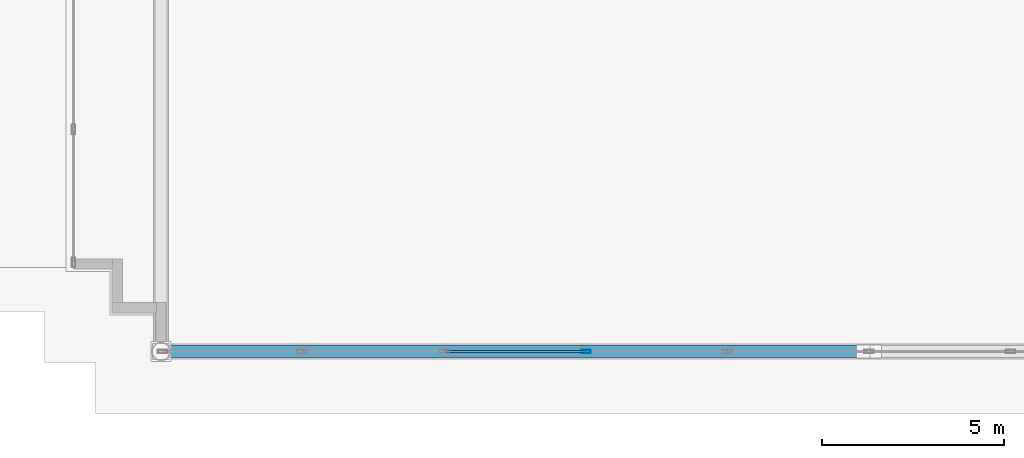
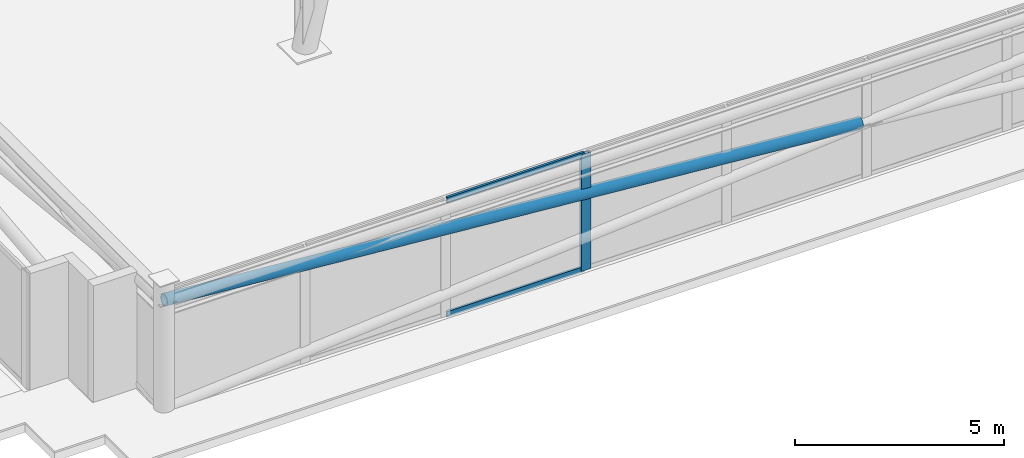
# One storey, part 3 of 23: 4 members, 1 element without a shape of its own.
"""IFC4 building model written with IfcOpenShell, lengths in metres."""

from ifc_helpers import new_model, si_unit, direction, frame, origin, origin_2d, place, context, subcontext, project, spatial, hollow_rectangle, hollow_circle, extrude, material, layer, layer_set, material_profile, profile_set, type_object, element, aggregate, save


model = new_model("IFC4")

# Units and contexts
model_context = context("Model", 3, precision=1e-05, world=origin(), true_north=direction((0.0, 1.0)))
body_context = subcontext(model_context, "Body", "Model", "MODEL_VIEW")
ifc_project = project(units=[si_unit("LENGTHUNIT", "METRE"), si_unit("AREAUNIT", "SQUARE_METRE"), si_unit("VOLUMEUNIT", "CUBIC_METRE"), si_unit("PLANEANGLEUNIT", "RADIAN"), si_unit("MASSUNIT", "GRAM", prefix="KILO")], contexts=[model_context])

# Site, building, storey
site_placement = place(None, origin())
site = spatial("IfcSite", under=ifc_project, at=site_placement, CompositionType="ELEMENT")
building_placement = place(site_placement, origin())
building = spatial("IfcBuilding", under=site, at=building_placement, Name="Qobustan Lattice House", CompositionType="ELEMENT")
storey_placement = place(building_placement, frame((0.0, 0.0, 270.199951171875)))
storey = spatial("IfcBuildingStorey", under=building, at=storey_placement, Name="L76", CompositionType="ELEMENT", Elevation=270.199951171875)

# Curtain wall, members
ifc_material_1 = material(Name="Anodised aluminium and low-E glazing", Category="aluminium")
ifc_layer = layer(ifc_material_1, 0.219970703125)
ifc_layer_set = layer_set([ifc_layer], Name="Anodised aluminium and low-E glazing")
curtain_wall_type = type_object("IfcCurtainWallType", Name="CW-CRN-01", PredefinedType="USERDEFINED", material=ifc_layer_set)
curtain_wall_placement = place(storey_placement, origin())
curtain_wall = element("IfcCurtainWall", 1, at=curtain_wall_placement, inside=storey, type_object=curtain_wall_type, Name="L76 glass-point crown faceted curtain wall 20", ObjectType="CURTAIN WALL", PredefinedType="USERDEFINED")
ifc_material_2 = material(Name="Anodised aluminium EN AW-6063 T6", Category="aluminium")
ifc_material_profile_1 = material_profile(ifc_material_2, hollow_rectangle(XDim=0.090087890625, YDim=0.260009765625, WallThickness=0.006103515625, at=origin_2d()), Name="CWM-CROWN-260x90")
ifc_profile_set_1 = profile_set([ifc_material_profile_1], Name="Anodised aluminium EN AW-6063 T6")
member_type_1 = type_object("IfcMemberType", Name="CWM-CRN-260", PredefinedType="MULLION", material=ifc_profile_set_1)
member_1_placement = place(storey_placement, frame((-7.9599609375, -16.89990234375, 0.0), z_axis=(0.0, 0.0, 1.0), x_axis=(0.0, -1.0, 0.0)))
member_1 = element("IfcMember", 2, at=member_1_placement, type_object=member_type_1, Name="CW-CR mullion 8", PredefinedType="MULLION", context=body_context, shape_type="SweptSolid", body=[
    extrude(hollow_rectangle(XDim=0.090087890625, YDim=0.260009765625, WallThickness=0.006103515625, at=origin_2d()), origin(), (0.0, 0.0, 1.0), 3.400146484375),
])
ifc_material_3 = material(Name="Anodised aluminium EN AW-6063 T6", Category="aluminium")
ifc_material_profile_2 = material_profile(ifc_material_3, hollow_rectangle(XDim=0.06494140625, YDim=0.159912109375, WallThickness=0.00390625, at=origin_2d()), Name="CWT-160x65")
ifc_profile_set_2 = profile_set([ifc_material_profile_2], Name="Anodised aluminium EN AW-6063 T6")
member_type_2 = type_object("IfcMemberType", Name="CWT-HOR-160", PredefinedType="USERDEFINED", material=ifc_profile_set_2)
member_2_placement = place(storey_placement, frame((-8.0048828125, -16.89990234375, 0.032470703125), z_axis=(-1.0, 0.0, 0.0), x_axis=(0.0, -1.0, 0.0)))
member_2 = element("IfcMember", 3, at=member_2_placement, type_object=member_type_2, Name="CW-CR transom 8.1", ObjectType="TRANSOM", PredefinedType="USERDEFINED", context=body_context, shape_type="SweptSolid", body=[
    extrude(hollow_rectangle(XDim=0.06494140625, YDim=0.159912109375, WallThickness=0.00390625, at=origin_2d()), origin(), (0.0, 0.0, 1.0), 3.7900390625),
])
member_3_placement = place(storey_placement, frame((-8.0048828125, -16.89990234375, 3.367431640625), z_axis=(-1.0, 0.0, 0.0), x_axis=(0.0, -1.0, 0.0)))
member_3 = element("IfcMember", 4, at=member_3_placement, type_object=member_type_2, Name="CW-CR transom 8.2", ObjectType="TRANSOM", PredefinedType="USERDEFINED", context=body_context, shape_type="SweptSolid", body=[
    extrude(hollow_rectangle(XDim=0.06494140625, YDim=0.159912109375, WallThickness=0.00390625, at=origin_2d()), origin(), (0.0, 0.0, 1.0), 3.7900390625),
])
aggregate(curtain_wall, [member_1, member_2, member_3])

# Member
ifc_material_4 = material(Name="Steel S355", Category="steel")
ifc_material_profile_3 = material_profile(ifc_material_4, hollow_circle(Radius=0.161865234375, WallThickness=0.012451171875, at=origin_2d()), Name="CHS323.9x12.5")
ifc_profile_set_3 = profile_set([ifc_material_profile_3], Name="Steel S355")
member_type_3 = type_object("IfcMemberType", Name="MEM-CBR-CHS324", PredefinedType="BRACE", material=ifc_profile_set_3)
member_4_placement = place(storey_placement, frame((-0.367431640625, -16.89990234375, 1.611328125), z_axis=(-0.996690538757, 0.0, 0.081289420916), x_axis=(0.0, -1.0, 0.0)))
element("IfcMember", 5, at=member_4_placement, inside=storey, type_object=member_type_3, Name="L76 crown diagrid split brace 1B upper", PredefinedType="BRACE", context=body_context, shape_type="SweptSolid", body=[
    extrude(hollow_circle(Radius=0.161865234375, WallThickness=0.012451171875, at=origin_2d()), origin(), (0.0, 0.0, 1.0), 19.296630859375),
])

save(model, "model.ifc")
